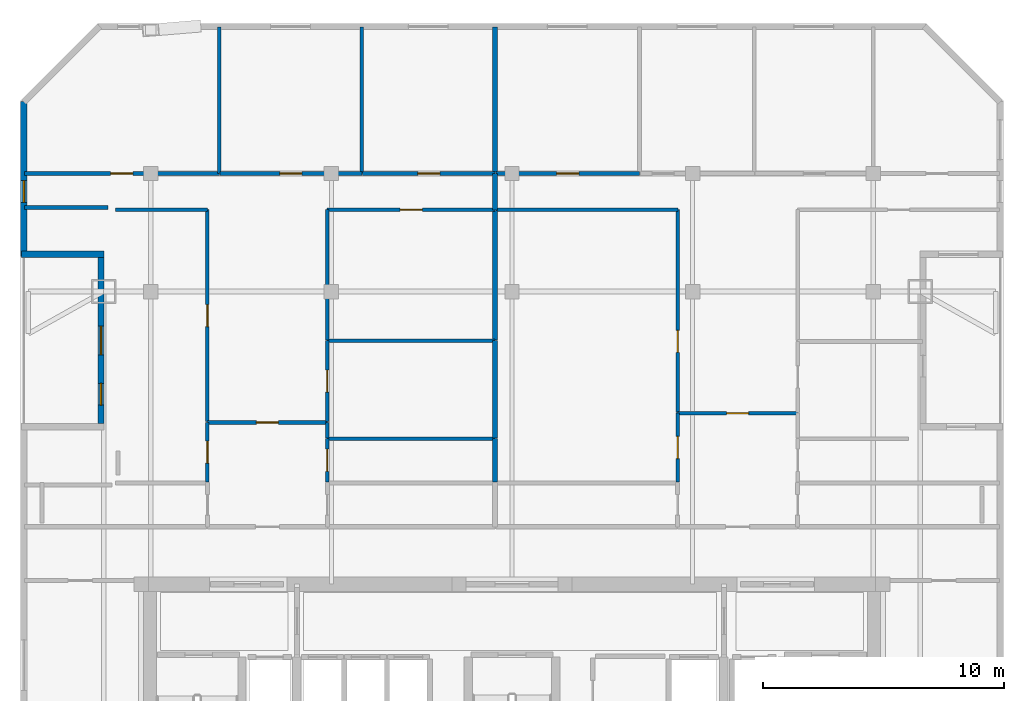
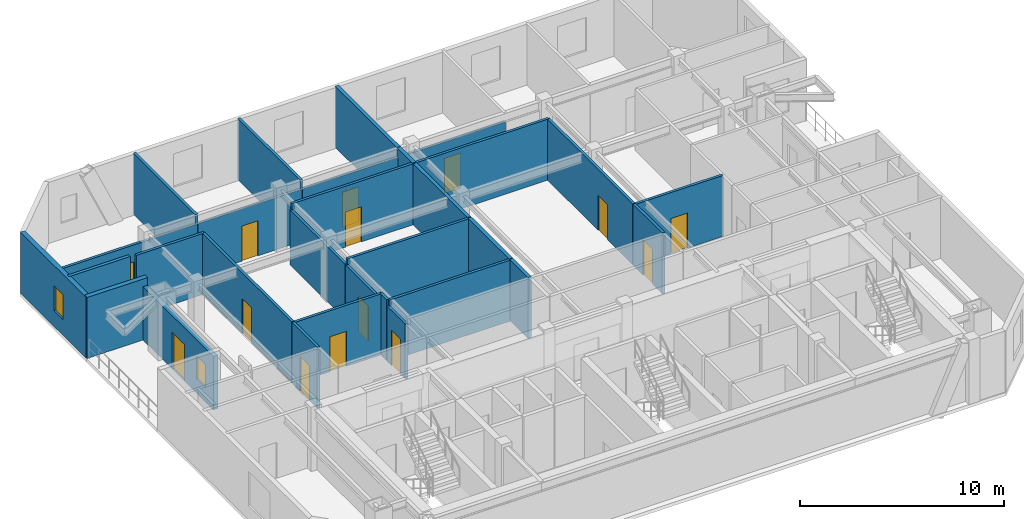
# One storey, part 4 of 7: 30 walls, 14 doors, 2 windows, 16 openings.
"""IFC4 building model written with IfcOpenShell, lengths in metres."""

import ifcopenshell
import ifcopenshell.guid

model = None  # the IFC model being written
_history = None  # IfcOwnerHistory: only IFC2X3 demands one
_inside = {}  # id of a spatial element -> (the spatial element, [elements in it])
_under = {}  # id of a project, library or spatial element -> (it, [spatial elements below it])
_declared = {}  # id of a project -> (the project, [libraries it declares])
_typed = {}  # id of a type object -> (the type object, [elements of that type])
_made_of = {}  # id of a material, layer set ... -> (it, [elements and type objects made of it])


def new_model(schema):
    """Start an empty IFC model of exactly this schema.

    Asked for "IFC4X3", IfcOpenShell would pick the latest addendum, in which some entities
    have other attributes; the version numbers below select the first issue.
    IFC2X3 requires an IfcOwnerHistory on every rooted entity: one is made here for all.
    """
    global model, _history
    if schema == "IFC4X3":
        model = ifcopenshell.file(schema_version=(4, 3, 0, 0))
    else:
        model = ifcopenshell.file(schema=schema)
    _inside.clear()
    _under.clear()
    _declared.clear()
    _typed.clear()
    _made_of.clear()
    _history = None
    if model.schema == "IFC2X3":
        org = make("IfcOrganization", Name="unknown")
        user = make(
            "IfcPersonAndOrganization",
            ThePerson=make("IfcPerson", FamilyName="unknown"),
            TheOrganization=org,
        )
        app = make(
            "IfcApplication",
            ApplicationDeveloper=org,
            Version="unknown",
            ApplicationFullName="unknown",
            ApplicationIdentifier="unknown",
        )
        _history = make(
            "IfcOwnerHistory",
            OwningUser=user,
            OwningApplication=app,
            ChangeAction="ADDED",
            CreationDate=0,
        )
    return model


def make(cls, **values):
    """One entity of the class cls with the attributes given. An attribute that is None is left unset."""
    return model.create_entity(
        cls, **{name: value for name, value in values.items() if value is not None}
    )


def rooted(cls, **values):
    """An entity with a GlobalId (a new one), such as an element, a storey or a relation."""
    return make(cls, GlobalId=ifcopenshell.guid.new(), OwnerHistory=_history, **values)


def si_unit(unit_type, name, prefix=None):
    """IfcSIUnit, for example si_unit("LENGTHUNIT", "METRE", prefix="MILLI")."""
    return make("IfcSIUnit", UnitType=unit_type, Prefix=prefix, Name=name)


def assignment(units):
    """IfcUnitAssignment: the units of a project."""
    return None if units is None else make("IfcUnitAssignment", Units=units)


def point(xyz):
    """IfcCartesianPoint."""
    return None if xyz is None else make("IfcCartesianPoint", Coordinates=xyz)


def direction(xyz):
    """IfcDirection."""
    return None if xyz is None else make("IfcDirection", DirectionRatios=xyz)


def frame(location, z_axis=None, x_axis=None):
    """IfcAxis2Placement3D, a coordinate frame: its origin and axes. An axis left out is left unset."""
    return make(
        "IfcAxis2Placement3D",
        Location=point(location),
        Axis=direction(z_axis),
        RefDirection=direction(x_axis),
    )


def frame_2d(location, x_axis=None):
    """IfcAxis2Placement2D, a coordinate frame in the plane: its origin and x axis."""
    return make(
        "IfcAxis2Placement2D", Location=point(location), RefDirection=direction(x_axis)
    )


def origin():
    """The frame at (0, 0, 0) with its axes left unset."""
    return frame((0.0, 0.0, 0.0))


def place(relative_to, where):
    """IfcLocalPlacement: puts the frame where relative to a parent placement (None: the world)."""
    return make(
        "IfcLocalPlacement", PlacementRelTo=relative_to, RelativePlacement=where
    )


def context(
    kind, dimensions, precision=None, world=None, true_north=None, identifier=None
):
    """IfcGeometricRepresentationContext, for example the 3D "Model" context."""
    return make(
        "IfcGeometricRepresentationContext",
        ContextIdentifier=identifier,
        ContextType=kind,
        CoordinateSpaceDimension=dimensions,
        Precision=precision,
        WorldCoordinateSystem=world,
        TrueNorth=true_north,
    )


def subcontext(parent, identifier, kind, view, scale=None):
    """IfcGeometricRepresentationSubContext, for example "Body" below "Model"."""
    return make(
        "IfcGeometricRepresentationSubContext",
        ContextIdentifier=identifier,
        ContextType=kind,
        ParentContext=parent,
        TargetScale=scale,
        TargetView=view,
    )


def project(units=None, contexts=None):
    """IfcProject with its units and contexts."""
    return rooted(
        "IfcProject",
        Name="project",
        RepresentationContexts=contexts,
        UnitsInContext=assignment(units),
    )


def spatial(cls, under=None, at=None, **own):
    """A site, building, storey or space (cls), placed at a placement, below another one or the project."""
    s = rooted(cls, ObjectPlacement=at, **own)
    if under is not None:
        _under.setdefault(under.id(), (under, []))[1].append(s)
    return s


def profile(cls, at=None, kind="AREA", **sizes):
    """A parametric profile (cls). Its sizes go by their IFC names, for example OverallWidth=200.0."""
    return make(cls, ProfileType=kind, Position=at, **sizes)


def rectangle(**sizes):
    """IfcRectangleProfileDef."""
    return profile("IfcRectangleProfileDef", **sizes)


def extrude(swept, where, along, depth):
    """IfcExtrudedAreaSolid: the profile swept, set in the frame where, extruded along a direction by depth."""
    return make(
        "IfcExtrudedAreaSolid",
        SweptArea=swept,
        Position=where,
        ExtrudedDirection=direction(along),
        Depth=depth,
    )


def shape(context_of_items, identifier, shape_type, items):
    """IfcShapeRepresentation: the items that make up one representation, for example the "Body"."""
    return make(
        "IfcShapeRepresentation",
        ContextOfItems=context_of_items,
        RepresentationIdentifier=identifier,
        RepresentationType=shape_type,
        Items=items,
    )


def material(Name=None, Category=None):
    """IfcMaterial."""
    return make("IfcMaterial", Name=Name, Category=Category)


def layer(
    of_material, thickness, ventilated=None, Name=None, Category=None, Priority=None
):
    """IfcMaterialLayer: one layer of a wall or slab, of a material (None: an air gap)."""
    return make(
        "IfcMaterialLayer",
        Material=of_material,
        LayerThickness=thickness,
        IsVentilated=ventilated,
        Name=Name,
        Category=Category,
        Priority=Priority,
    )


def layer_set(layers, Name=None):
    """IfcMaterialLayerSet."""
    return make("IfcMaterialLayerSet", MaterialLayers=layers, LayerSetName=Name)


def made_of(thing, what):
    """Note that an element or type object is made of a material, layer set ...; save() writes the relation."""
    if what is not None:
        _made_of.setdefault(what.id(), (what, []))[1].append(thing)
    return thing


def type_object(cls, material=None, **own):
    """A type object (cls), such as IfcWallType, which elements share."""
    return made_of(rooted(cls, **own), material)


def element(
    cls,
    number,
    at=None,
    inside=None,
    cuts=None,
    type_object=None,
    material=None,
    context=None,
    identifier="Body",
    shape_type=None,
    held_by="IfcProductDefinitionShape",
    body=None,
    shapes=None,
    **own,
):
    """One element of the class cls, such as IfcWall. Its Tag is "e" and its number.

    at: its placement. inside: the storey or other place that contains it. cuts: it is an
    opening in that element (IfcRelVoidsElement). A single representation is given by context,
    identifier, shape_type and body (its items); several are given by shapes. held_by: the class
    of the entity that holds the representations. save() writes the other relations.
    """
    e = rooted(cls, Tag="e%d" % number, ObjectPlacement=at, **own)
    if body is not None:
        shapes = [shape(context, identifier, shape_type, body)]
    if shapes is not None:
        e.Representation = make(held_by, Representations=shapes)
    if inside is not None:
        _inside.setdefault(inside.id(), (inside, []))[1].append(e)
    if cuts is not None:
        rooted(
            "IfcRelVoidsElement", RelatingBuildingElement=cuts, RelatedOpeningElement=e
        )
    if type_object is not None:
        _typed.setdefault(type_object.id(), (type_object, []))[1].append(e)
    return made_of(e, material)


def fill(opening, filler):
    """IfcRelFillsElement: the door or window that sits in an opening."""
    return rooted(
        "IfcRelFillsElement",
        RelatingOpeningElement=opening,
        RelatedBuildingElement=filler,
    )


def aggregate(whole, parts):
    """IfcRelAggregates: a whole, such as a stair, and the parts it consists of."""
    return rooted("IfcRelAggregates", RelatingObject=whole, RelatedObjects=parts)


def save(model, path):
    """Write the relations noted so far, then the file.

    IfcRelAggregates (storeys below a building ...), IfcRelContainedInSpatialStructure (elements
    in a storey), IfcRelDefinesByType, IfcRelAssociatesMaterial and IfcRelDeclares: one each for
    every whole, place, type object, material and project.
    """
    for whole, parts in _under.values():
        aggregate(whole, parts)
    for where, things in _inside.values():
        rooted(
            "IfcRelContainedInSpatialStructure",
            RelatedElements=things,
            RelatingStructure=where,
        )
    for kind, things in _typed.values():
        rooted("IfcRelDefinesByType", RelatedObjects=things, RelatingType=kind)
    for what, things in _made_of.values():
        rooted("IfcRelAssociatesMaterial", RelatedObjects=things, RelatingMaterial=what)
    for by, libraries in _declared.values():
        rooted("IfcRelDeclares", RelatingContext=by, RelatedDefinitions=libraries)
    model.write(path)


model = new_model("IFC4")

# Units and contexts
model_context = context("Model", 3, precision=1e-05, world=origin(), true_north=direction((0.0, 1.0)))
body_context = subcontext(model_context, "Body", "Model", "MODEL_VIEW")
ifc_project = project(units=[si_unit("LENGTHUNIT", "METRE"), si_unit("AREAUNIT", "SQUARE_METRE"), si_unit("VOLUMEUNIT", "CUBIC_METRE"), si_unit("PLANEANGLEUNIT", "RADIAN"), si_unit("MASSUNIT", "GRAM", prefix="KILO")], contexts=[model_context])

# Site, building, storey
site_placement = place(None, origin())
site = spatial("IfcSite", under=ifc_project, at=site_placement, CompositionType="ELEMENT")
building_placement = place(site_placement, origin())
building = spatial("IfcBuilding", under=site, at=building_placement, Name="Ventersveld Concourse Tower", CompositionType="ELEMENT")
storey_placement = place(building_placement, frame((0.0, 0.0, 281.050048828125)))
storey = spatial("IfcBuildingStorey", under=building, at=storey_placement, Name="L69", CompositionType="ELEMENT", Elevation=281.050048828125)

# Walls
ifc_material_1 = material(Name="Fire-rated autoclaved aerated masonry blockwork", Category="masonry")
ifc_layer_1 = layer(ifc_material_1, 0.179931640625)
ifc_layer_set_1 = layer_set([ifc_layer_1], Name="Fire-rated autoclaved aerated masonry blockwork")
wall_type_1 = type_object("IfcWallType", Name="WL-CORR-180", PredefinedType="PARTITIONING", material=ifc_layer_set_1)
wall_1_placement = place(storey_placement, frame((11.983154296875, 27.090087890625, 0.0), z_axis=(0.0, 0.0, 1.0), x_axis=(-1.0, 0.0, 0.0)))
element("IfcWall", 1, at=wall_1_placement, inside=storey, type_object=wall_type_1, Name="L69 Room Enclosure Wall SP-L69-69N1-LIV", PredefinedType="PARTITIONING", context=body_context, shape_type="SweptSolid", body=[
    extrude(rectangle(XDim=3.48046875, YDim=0.179931640625, at=frame_2d((1.740234375, 0.0))), origin(), (0.0, 0.0, 1.0), 3.64990234375),
])
ifc_layer_2 = layer(ifc_material_1, 0.199951171875)
ifc_layer_set_2 = layer_set([ifc_layer_2], Name="Fire-rated autoclaved aerated masonry blockwork")
wall_type_2 = type_object("IfcWallType", Name="WL-DEMISE-200", PredefinedType="PARTITIONING", material=ifc_layer_set_2)
wall_2_placement = place(storey_placement, frame((28.04541015625, 26.9951171875, 0.0), z_axis=(0.0, 0.0, 1.0), x_axis=(0.0, 1.0, 0.0)))
element("IfcWall", 2, at=wall_2_placement, inside=storey, type_object=wall_type_2, Name="L69 Interior Partition SP-L69-69N1-LIV-SP-L69-69N2-LIV", PredefinedType="PARTITIONING", context=body_context, shape_type="SweptSolid", body=[
    extrude(rectangle(XDim=1.509765625, YDim=0.199951171875, at=frame_2d((0.7548828125, 0.0))), origin(), (0.0, 0.0, 1.0), 3.64990234375),
])
wall_3_placement = place(storey_placement, frame((28.04541015625, 15.695068359375, 0.0), z_axis=(0.0, 0.0, 1.0), x_axis=(0.0, 1.0, 0.0)))
element("IfcWall", 3, at=wall_3_placement, inside=storey, type_object=wall_type_2, Name="L69 Interior Partition SP-L69-69N1-KIT-SP-L69-69N2-SEML0", PredefinedType="PARTITIONING", context=body_context, shape_type="SweptSolid", body=[
    extrude(rectangle(XDim=1.800048828125, YDim=0.199951171875, at=frame_2d((0.89990234375, 0.0))), origin(), (0.0, 0.0, 1.0), 3.64990234375),
])
wall_4_placement = place(storey_placement, frame((28.04541015625, 17.52490234375, 0.0), z_axis=(0.0, 0.0, 1.0), x_axis=(0.0, 1.0, 0.0)))
element("IfcWall", 4, at=wall_4_placement, inside=storey, type_object=wall_type_2, Name="L69 Interior Partition SP-L69-69N1-DENR-SP-L69-69N2-SEML0", PredefinedType="PARTITIONING", context=body_context, shape_type="SweptSolid", body=[
    extrude(rectangle(XDim=4.041015625, YDim=0.199951171875, at=frame_2d((2.0205078125, 0.0))), origin(), (0.0, 0.0, 1.0), 3.64990234375),
])
wall_5_placement = place(storey_placement, frame((28.04541015625, 21.595703125, 0.0), z_axis=(0.0, 0.0, 1.0), x_axis=(0.0, 1.0, 0.0)))
element("IfcWall", 5, at=wall_5_placement, inside=storey, type_object=wall_type_2, Name="L69 Interior Partition SP-L69-69N1-DENS2-SP-L69-69N2-SEML0", PredefinedType="PARTITIONING", context=body_context, shape_type="SweptSolid", body=[
    extrude(rectangle(XDim=5.369384765625, YDim=0.199951171875, at=frame_2d((2.6845703125, 0.0))), origin(), (0.0, 0.0, 1.0), 3.64990234375),
])
wall_6_placement = place(storey_placement, frame((28.04541015625, 28.534912109375, 0.0), z_axis=(0.0, 0.0, 1.0), x_axis=(0.0, 1.0, 0.0)))
element("IfcWall", 6, at=wall_6_placement, inside=storey, type_object=wall_type_2, Name="L69 Interior Partition SP-L69-69N1-BR3-SP-L69-69N2-BR1", PredefinedType="PARTITIONING", context=body_context, shape_type="SweptSolid", body=[
    extrude(rectangle(XDim=6.048095703125, YDim=0.199951171875, at=frame_2d((3.02392578125, 0.0))), origin(), (0.0, 0.0, 1.0), 3.64990234375),
])

# Wall, opening, door
ifc_material_2 = material(Name="Autoclaved aerated masonry blockwork", Category="masonry")
ifc_layer_3 = layer(ifc_material_2, 0.14990234375)
ifc_layer_set_3 = layer_set([ifc_layer_3], Name="Autoclaved aerated masonry blockwork")
wall_type_3 = type_object("IfcWallType", Name="WL-INT-150", PredefinedType="PARTITIONING", material=ifc_layer_set_3)
wall_7_placement = place(storey_placement, frame((16.099365234375, 18.162109375, 0.0), z_axis=(0.0, 0.0, 1.0), x_axis=(1.0, 0.0, 0.0)))
wall_7 = element("IfcWall", 7, at=wall_7_placement, inside=storey, type_object=wall_type_3, Name="L69 Interior Partition SP-L69-69N1-FOY-SP-L69-69N1-LIV", PredefinedType="PARTITIONING", context=body_context, shape_type="SweptSolid", body=[
    extrude(rectangle(XDim=4.989990234375, YDim=0.14990234375, at=frame_2d((2.4951171875, 0.0))), origin(), (0.0, 0.0, 1.0), 3.64990234375),
])
opening_1_placement = place(wall_7_placement, frame((2.034912109375, 0.0, 0.0)))
opening_1 = element("IfcOpeningElement", 8, at=opening_1_placement, cuts=wall_7, Name="Opening ID1", PredefinedType="OPENING", context=body_context, shape_type="SweptSolid", body=[
    extrude(rectangle(XDim=0.919921875, YDim=2.10009765625, at=frame_2d((0.4599609375, 1.050048828125))), frame((0.0, 0.0849609375, 0.0), z_axis=(0.0, -1.0, 0.0), x_axis=(1.0, 0.0, 0.0)), (0.0, 0.0, 1.0), 0.169921875),
])
ifc_material_3 = material(Name="Solid-core hardwood veneer timber", Category="wood")
door_type_1 = type_object("IfcDoorType", Name="DR-ROOM-092", OperationType="NOTDEFINED", PredefinedType="DOOR", material=ifc_material_3)
door_1_placement = place(opening_1_placement, origin())
door_1 = element("IfcDoor", 9, at=door_1_placement, inside=storey, type_object=door_type_1, Name="L69 Interior Door SP-L69-69N1-FOY to SP-L69-69N1-LIV (D-L69-3228)", OperationType="SINGLE_SWING_RIGHT", OverallHeight=2.10009765625, OverallWidth=0.919921875, PredefinedType="DOOR", context=body_context, shape_type="SweptSolid", body=[
    extrude(rectangle(XDim=0.919921875, YDim=2.10009765625, at=frame_2d((0.4599609375, 1.050048828125))), frame((0.0, 0.02490234375, 0.0), z_axis=(0.0, -1.0, 0.0), x_axis=(1.0, 0.0, 0.0)), (0.0, 0.0, 1.0), 0.050048828125),
])
fill(opening_1, door_1)

wall_8_placement = place(storey_placement, frame((16.104248046875, 15.695068359375, 0.0), z_axis=(0.0, 0.0, 1.0), x_axis=(0.0, 1.0, 0.0)))
wall_8 = element("IfcWall", 10, at=wall_8_placement, inside=storey, type_object=wall_type_3, Name="L69 Interior Partition SP-L69-69N1-FOY-SP-L69-69N1-SEML0", PredefinedType="PARTITIONING", context=body_context, shape_type="SweptSolid", body=[
    extrude(rectangle(XDim=2.471923828125, YDim=0.14990234375, at=frame_2d((1.23583984375, 0.0))), origin(), (0.0, 0.0, 1.0), 3.64990234375),
])
opening_2_placement = place(wall_8_placement, frame((0.77587890625, 0.0, 0.0)))
opening_2 = element("IfcOpeningElement", 11, at=opening_2_placement, cuts=wall_8, Name="Opening ID1", PredefinedType="OPENING", context=body_context, shape_type="SweptSolid", body=[
    extrude(rectangle(XDim=0.919921875, YDim=2.10009765625, at=frame_2d((0.4599609375, 1.050048828125))), frame((0.0, 0.0849609375, 0.0), z_axis=(0.0, -1.0, 0.0), x_axis=(1.0, 0.0, 0.0)), (0.0, 0.0, 1.0), 0.169921875),
])
door_2_placement = place(opening_2_placement, origin())
door_2 = element("IfcDoor", 12, at=door_2_placement, inside=storey, type_object=door_type_1, Name="L69 Interior Door SP-L69-69N1-FOY to SP-L69-69N1-SEML0 (D-L69-3230)", OperationType="SINGLE_SWING_RIGHT", OverallHeight=2.10009765625, OverallWidth=0.919921875, PredefinedType="DOOR", context=body_context, shape_type="SweptSolid", body=[
    extrude(rectangle(XDim=0.919921875, YDim=2.10009765625, at=frame_2d((0.4599609375, 1.050048828125))), frame((0.0, 0.02490234375, 0.0), z_axis=(0.0, -1.0, 0.0), x_axis=(1.0, 0.0, 0.0)), (0.0, 0.0, 1.0), 0.050048828125),
])
fill(opening_2, door_2)

wall_9_placement = place(storey_placement, frame((21.084228515625, 15.695068359375, 0.0), z_axis=(0.0, 0.0, 1.0), x_axis=(0.0, 1.0, 0.0)))
wall_9 = element("IfcWall", 13, at=wall_9_placement, inside=storey, type_object=wall_type_3, Name="L69 Interior Partition SP-L69-69N1-FOY-SP-L69-69N1-KIT", PredefinedType="PARTITIONING", context=body_context, shape_type="SweptSolid", body=[
    extrude(rectangle(XDim=1.800048828125, YDim=0.14990234375, at=frame_2d((0.89990234375, 0.0))), origin(), (0.0, 0.0, 1.0), 3.294921875),
])
opening_3_placement = place(wall_9_placement, frame((0.43994140625, 0.0, 0.0)))
opening_3 = element("IfcOpeningElement", 14, at=opening_3_placement, cuts=wall_9, Name="Opening ID1", PredefinedType="OPENING", context=body_context, shape_type="SweptSolid", body=[
    extrude(rectangle(XDim=0.919921875, YDim=2.10009765625, at=frame_2d((0.4599609375, 1.050048828125))), frame((0.0, 0.0849609375, 0.0), z_axis=(0.0, -1.0, 0.0), x_axis=(1.0, 0.0, 0.0)), (0.0, 0.0, 1.0), 0.169921875),
])
door_3_placement = place(opening_3_placement, origin())
door_3 = element("IfcDoor", 15, at=door_3_placement, inside=storey, type_object=door_type_1, Name="L69 Interior Door SP-L69-69N1-FOY to SP-L69-69N1-KIT (D-L69-3232)", OperationType="SINGLE_SWING_RIGHT", OverallHeight=2.10009765625, OverallWidth=0.919921875, PredefinedType="DOOR", context=body_context, shape_type="SweptSolid", body=[
    extrude(rectangle(XDim=0.919921875, YDim=2.10009765625, at=frame_2d((0.4599609375, 1.050048828125))), frame((0.0, 0.02490234375, 0.0), z_axis=(0.0, -1.0, 0.0), x_axis=(1.0, 0.0, 0.0)), (0.0, 0.0, 1.0), 0.050048828125),
])
fill(opening_3, door_3)

# Wall
wall_10_placement = place(storey_placement, frame((21.084228515625, 17.52490234375, 0.0), z_axis=(0.0, 0.0, 1.0), x_axis=(0.0, 1.0, 0.0)))
element("IfcWall", 16, at=wall_10_placement, inside=storey, type_object=wall_type_3, Name="L69 Interior Partition SP-L69-69N1-FOY-SP-L69-69N1-DENR", PredefinedType="PARTITIONING", context=body_context, shape_type="SweptSolid", body=[
    extrude(rectangle(XDim=0.64208984375, YDim=0.14990234375, at=frame_2d((0.321044921875, 0.0))), origin(), (0.0, 0.0, 1.0), 3.64990234375),
])

# Wall, opening, door
wall_11_placement = place(storey_placement, frame((16.104248046875, 18.197021484375, 0.0), z_axis=(0.0, 0.0, 1.0), x_axis=(0.0, 1.0, 0.0)))
wall_11 = element("IfcWall", 17, at=wall_11_placement, inside=storey, type_object=wall_type_3, Name="L69 Interior Partition SP-L69-69N1-LIV-SP-L69-69N1-SEML0", PredefinedType="PARTITIONING", context=body_context, shape_type="SweptSolid", body=[
    extrude(rectangle(XDim=8.807861328125, YDim=0.14990234375, at=frame_2d((4.40380859375, 0.0))), origin(), (0.0, 0.0, 1.0), 3.64990234375),
])
opening_4_placement = place(wall_11_placement, frame((3.944091796875, 0.0, 0.0)))
opening_4 = element("IfcOpeningElement", 18, at=opening_4_placement, cuts=wall_11, Name="Opening ID1", PredefinedType="OPENING", context=body_context, shape_type="SweptSolid", body=[
    extrude(rectangle(XDim=0.919921875, YDim=2.10009765625, at=frame_2d((0.4599609375, 1.050048828125))), frame((0.0, 0.0849609375, 0.0), z_axis=(0.0, -1.0, 0.0), x_axis=(1.0, 0.0, 0.0)), (0.0, 0.0, 1.0), 0.169921875),
])
door_4_placement = place(opening_4_placement, origin())
door_4 = element("IfcDoor", 19, at=door_4_placement, inside=storey, type_object=door_type_1, Name="L69 Interior Door SP-L69-69N1-LIV to SP-L69-69N1-SEML0 (D-L69-3233)", OperationType="SINGLE_SWING_LEFT", OverallHeight=2.10009765625, OverallWidth=0.919921875, PredefinedType="DOOR", context=body_context, shape_type="SweptSolid", body=[
    extrude(rectangle(XDim=0.919921875, YDim=2.10009765625, at=frame_2d((0.4599609375, 1.050048828125))), frame((0.0, 0.02490234375, 0.0), z_axis=(0.0, -1.0, 0.0), x_axis=(1.0, 0.0, 0.0)), (0.0, 0.0, 1.0), 0.050048828125),
])
fill(opening_4, door_4)

# Wall
wall_12_placement = place(storey_placement, frame((12.298095703125, 27.0, 0.0), z_axis=(0.0, 0.0, 1.0), x_axis=(1.0, 0.0, 0.0)))
element("IfcWall", 20, at=wall_12_placement, inside=storey, type_object=wall_type_3, Name="L69 Interior Partition SP-L69-69N1-LIV-SP-L69-69N1-SEML0", PredefinedType="PARTITIONING", context=body_context, shape_type="SweptSolid", body=[
    extrude(rectangle(XDim=3.811279296875, YDim=0.14990234375, at=frame_2d((1.90576171875, 0.0))), origin(), (0.0, 0.0, 1.0), 3.64990234375),
])

# Wall, opening, door
wall_13_placement = place(storey_placement, frame((21.084228515625, 18.197021484375, 0.0), z_axis=(0.0, 0.0, 1.0), x_axis=(0.0, 1.0, 0.0)))
wall_13 = element("IfcWall", 21, at=wall_13_placement, inside=storey, type_object=wall_type_3, Name="L69 Interior Partition SP-L69-69N1-LIV-SP-L69-69N1-DENR", PredefinedType="PARTITIONING", context=body_context, shape_type="SweptSolid", body=[
    extrude(rectangle(XDim=3.368896484375, YDim=0.14990234375, at=frame_2d((1.6845703125, 0.0))), origin(), (0.0, 0.0, 1.0), 3.294921875),
])
opening_5_placement = place(wall_13_placement, frame((1.224365234375, 0.0, 0.0)))
opening_5 = element("IfcOpeningElement", 22, at=opening_5_placement, cuts=wall_13, Name="Opening ID1", PredefinedType="OPENING", context=body_context, shape_type="SweptSolid", body=[
    extrude(rectangle(XDim=0.919921875, YDim=2.10009765625, at=frame_2d((0.4599609375, 1.050048828125))), frame((0.0, 0.0849609375, 0.0), z_axis=(0.0, -1.0, 0.0), x_axis=(1.0, 0.0, 0.0)), (0.0, 0.0, 1.0), 0.169921875),
])
door_5_placement = place(opening_5_placement, origin())
door_5 = element("IfcDoor", 23, at=door_5_placement, inside=storey, type_object=door_type_1, Name="L69 Interior Door SP-L69-69N1-LIV to SP-L69-69N1-DENR (D-L69-3234)", OperationType="SINGLE_SWING_RIGHT", OverallHeight=2.10009765625, OverallWidth=0.919921875, PredefinedType="DOOR", context=body_context, shape_type="SweptSolid", body=[
    extrude(rectangle(XDim=0.919921875, YDim=2.10009765625, at=frame_2d((0.4599609375, 1.050048828125))), frame((0.0, 0.02490234375, 0.0), z_axis=(0.0, -1.0, 0.0), x_axis=(1.0, 0.0, 0.0)), (0.0, 0.0, 1.0), 0.050048828125),
])
fill(opening_5, door_5)

wall_14_placement = place(storey_placement, frame((21.079345703125, 27.0, 0.0), z_axis=(0.0, 0.0, 1.0), x_axis=(1.0, 0.0, 0.0)))
wall_14 = element("IfcWall", 24, at=wall_14_placement, inside=storey, type_object=wall_type_3, Name="L69 Interior Partition SP-L69-69N1-LIV-SP-L69-69N1-DENS2", PredefinedType="PARTITIONING", context=body_context, shape_type="SweptSolid", body=[
    extrude(rectangle(XDim=6.970947265625, YDim=0.14990234375, at=frame_2d((3.4853515625, 0.0))), origin(), (0.0, 0.0, 1.0), 3.64990234375),
])
opening_6_placement = place(wall_14_placement, frame((3.025390625, 0.0, 0.0)))
opening_6 = element("IfcOpeningElement", 25, at=opening_6_placement, cuts=wall_14, Name="Opening ID1", PredefinedType="OPENING", context=body_context, shape_type="SweptSolid", body=[
    extrude(rectangle(XDim=0.919921875, YDim=2.10009765625, at=frame_2d((0.4599609375, 1.050048828125))), frame((0.0, 0.0849609375, 0.0), z_axis=(0.0, -1.0, 0.0), x_axis=(1.0, 0.0, 0.0)), (0.0, 0.0, 1.0), 0.169921875),
])
door_6_placement = place(opening_6_placement, origin())
door_6 = element("IfcDoor", 26, at=door_6_placement, inside=storey, type_object=door_type_1, Name="L69 Interior Door SP-L69-69N1-LIV to SP-L69-69N1-DENS2 (D-L69-3235)", OperationType="SINGLE_SWING_LEFT", OverallHeight=2.10009765625, OverallWidth=0.919921875, PredefinedType="DOOR", context=body_context, shape_type="SweptSolid", body=[
    extrude(rectangle(XDim=0.919921875, YDim=2.10009765625, at=frame_2d((0.4599609375, 1.050048828125))), frame((0.0, 0.02490234375, 0.0), z_axis=(0.0, -1.0, 0.0), x_axis=(1.0, 0.0, 0.0)), (0.0, 0.0, 1.0), 0.050048828125),
])
fill(opening_6, door_6)

# Wall
wall_15_placement = place(storey_placement, frame((21.084228515625, 21.595703125, 0.0), z_axis=(0.0, 0.0, 1.0), x_axis=(0.0, 1.0, 0.0)))
element("IfcWall", 27, at=wall_15_placement, inside=storey, type_object=wall_type_3, Name="L69 Interior Partition SP-L69-69N1-LIV-SP-L69-69N1-DENS2", PredefinedType="PARTITIONING", context=body_context, shape_type="SweptSolid", body=[
    extrude(rectangle(XDim=5.4091796875, YDim=0.14990234375, at=frame_2d((2.70458984375, 0.0))), origin(), (0.0, 0.0, 1.0), 3.294921875),
])

# Wall, opening, door
wall_16_placement = place(storey_placement, frame((8.502685546875, 28.5, 0.0), z_axis=(0.0, 0.0, 1.0), x_axis=(1.0, 0.0, 0.0)))
wall_16 = element("IfcWall", 28, at=wall_16_placement, inside=storey, type_object=wall_type_3, Name="L69 Interior Partition SP-L69-69N1-LIV-SP-L69-69N1-BR1", PredefinedType="PARTITIONING", context=body_context, shape_type="SweptSolid", body=[
    extrude(rectangle(XDim=8.09375, YDim=0.14990234375, at=frame_2d((4.046875, 0.0))), origin(), (0.0, 0.0, 1.0), 3.116943359375),
])
opening_7_placement = place(wall_16_placement, frame((3.5869140625, 0.0, 0.0)))
opening_7 = element("IfcOpeningElement", 29, at=opening_7_placement, cuts=wall_16, Name="Opening ID1", PredefinedType="OPENING", context=body_context, shape_type="SweptSolid", body=[
    extrude(rectangle(XDim=0.919921875, YDim=2.10009765625, at=frame_2d((0.4599609375, 1.050048828125))), frame((0.0, 0.0849609375, 0.0), z_axis=(0.0, -1.0, 0.0), x_axis=(1.0, 0.0, 0.0)), (0.0, 0.0, 1.0), 0.169921875),
])
door_7_placement = place(opening_7_placement, origin())
door_7 = element("IfcDoor", 30, at=door_7_placement, inside=storey, type_object=door_type_1, Name="L69 Interior Door SP-L69-69N1-LIV to SP-L69-69N1-BR1 (D-L69-3236)", OperationType="SINGLE_SWING_RIGHT", OverallHeight=2.10009765625, OverallWidth=0.919921875, PredefinedType="DOOR", context=body_context, shape_type="SweptSolid", body=[
    extrude(rectangle(XDim=0.919921875, YDim=2.10009765625, at=frame_2d((0.4599609375, 1.050048828125))), frame((0.0, 0.02490234375, 0.0), z_axis=(0.0, -1.0, 0.0), x_axis=(1.0, 0.0, 0.0)), (0.0, 0.0, 1.0), 0.050048828125),
])
fill(opening_7, door_7)

wall_17_placement = place(storey_placement, frame((16.62646484375, 28.5, 0.0), z_axis=(0.0, 0.0, 1.0), x_axis=(1.0, 0.0, 0.0)))
wall_17 = element("IfcWall", 31, at=wall_17_placement, inside=storey, type_object=wall_type_3, Name="L69 Interior Partition SP-L69-69N1-LIV-SP-L69-69N1-BR2", PredefinedType="PARTITIONING", context=body_context, shape_type="SweptSolid", body=[
    extrude(rectangle(XDim=5.88818359375, YDim=0.14990234375, at=frame_2d((2.944091796875, 0.0))), origin(), (0.0, 0.0, 1.0), 3.116943359375),
])
opening_8_placement = place(wall_17_placement, frame((2.484130859375, 0.0, 0.0)))
opening_8 = element("IfcOpeningElement", 32, at=opening_8_placement, cuts=wall_17, Name="Opening ID1", PredefinedType="OPENING", context=body_context, shape_type="SweptSolid", body=[
    extrude(rectangle(XDim=0.919921875, YDim=2.10009765625, at=frame_2d((0.4599609375, 1.050048828125))), frame((0.0, 0.0849609375, 0.0), z_axis=(0.0, -1.0, 0.0), x_axis=(1.0, 0.0, 0.0)), (0.0, 0.0, 1.0), 0.169921875),
])
door_8_placement = place(opening_8_placement, origin())
door_8 = element("IfcDoor", 33, at=door_8_placement, inside=storey, type_object=door_type_1, Name="L69 Interior Door SP-L69-69N1-LIV to SP-L69-69N1-BR2 (D-L69-3237)", OperationType="SINGLE_SWING_LEFT", OverallHeight=2.10009765625, OverallWidth=0.919921875, PredefinedType="DOOR", context=body_context, shape_type="SweptSolid", body=[
    extrude(rectangle(XDim=0.919921875, YDim=2.10009765625, at=frame_2d((0.4599609375, 1.050048828125))), frame((0.0, 0.02490234375, 0.0), z_axis=(0.0, -1.0, 0.0), x_axis=(1.0, 0.0, 0.0)), (0.0, 0.0, 1.0), 0.050048828125),
])
fill(opening_8, door_8)

wall_18_placement = place(storey_placement, frame((22.544677734375, 28.5, 0.0), z_axis=(0.0, 0.0, 1.0), x_axis=(1.0, 0.0, 0.0)))
wall_18 = element("IfcWall", 34, at=wall_18_placement, inside=storey, type_object=wall_type_3, Name="L69 Interior Partition SP-L69-69N1-LIV-SP-L69-69N1-BR3", PredefinedType="PARTITIONING", context=body_context, shape_type="SweptSolid", body=[
    extrude(rectangle(XDim=5.505615234375, YDim=0.14990234375, at=frame_2d((2.7529296875, 0.0))), origin(), (0.0, 0.0, 1.0), 3.116943359375),
])
opening_9_placement = place(wall_18_placement, frame((2.292724609375, 0.0, 0.0)))
opening_9 = element("IfcOpeningElement", 35, at=opening_9_placement, cuts=wall_18, Name="Opening ID1", PredefinedType="OPENING", context=body_context, shape_type="SweptSolid", body=[
    extrude(rectangle(XDim=0.919921875, YDim=2.10009765625, at=frame_2d((0.4599609375, 1.050048828125))), frame((0.0, 0.0849609375, 0.0), z_axis=(0.0, -1.0, 0.0), x_axis=(1.0, 0.0, 0.0)), (0.0, 0.0, 1.0), 0.169921875),
])
door_9_placement = place(opening_9_placement, origin())
door_9 = element("IfcDoor", 36, at=door_9_placement, inside=storey, type_object=door_type_1, Name="L69 Interior Door SP-L69-69N1-LIV to SP-L69-69N1-BR3 (D-L69-3238)", OperationType="SINGLE_SWING_RIGHT", OverallHeight=2.10009765625, OverallWidth=0.919921875, PredefinedType="DOOR", context=body_context, shape_type="SweptSolid", body=[
    extrude(rectangle(XDim=0.919921875, YDim=2.10009765625, at=frame_2d((0.4599609375, 1.050048828125))), frame((0.0, 0.02490234375, 0.0), z_axis=(0.0, -1.0, 0.0), x_axis=(1.0, 0.0, 0.0)), (0.0, 0.0, 1.0), 0.050048828125),
])
fill(opening_9, door_9)

# Walls
for number, where, z_axis, x_axis, name in (
    (37, (21.079345703125, 17.489990234375, 0.0), (0.0, 0.0, 1.0), (1.0, 0.0, 0.0), "L69 Interior Partition SP-L69-69N1-KIT-SP-L69-69N1-DENR"),
    (38, (21.079345703125, 21.560791015625, 0.0), (0.0, 0.0, 1.0), (1.0, 0.0, 0.0), "L69 Interior Partition SP-L69-69N1-DENR-SP-L69-69N1-DENS2"),
):
    element("IfcWall", number, at=place(storey_placement, frame(where, z_axis=z_axis, x_axis=x_axis)), inside=storey, type_object=wall_type_3, Name=name, PredefinedType="PARTITIONING", context=body_context, shape_type="SweptSolid", body=[
        extrude(rectangle(XDim=6.970947265625, YDim=0.14990234375, at=frame_2d((3.4853515625, 0.0))), origin(), (0.0, 0.0, 1.0), 3.64990234375),
    ])
for number, where, z_axis, x_axis, name in (
    (39, (16.591552734375, 28.4951171875, 0.0), (0.0, 0.0, 1.0), (0.0, 1.0, 0.0), "L69 Interior Partition SP-L69-69N1-BR1-SP-L69-69N1-BR2"),
    (40, (22.509765625, 28.4951171875, 0.0), (0.0, 0.0, 1.0), (0.0, 1.0, 0.0), "L69 Interior Partition SP-L69-69N1-BR2-SP-L69-69N1-BR3"),
):
    element("IfcWall", number, at=place(storey_placement, frame(where, z_axis=z_axis, x_axis=x_axis)), inside=storey, type_object=wall_type_3, Name=name, PredefinedType="PARTITIONING", context=body_context, shape_type="SweptSolid", body=[
        extrude(rectangle(XDim=6.087890625, YDim=0.14990234375, at=frame_2d((3.0439453125, 0.0))), origin(), (0.0, 0.0, 1.0), 3.64990234375),
    ])

# Wall, opening, door
wall_19_placement = place(storey_placement, frame((35.622314453125, 18.549560546875, 0.0), z_axis=(0.0, 0.0, 1.0), x_axis=(1.0, 0.0, 0.0)))
wall_19 = element("IfcWall", 41, at=wall_19_placement, inside=storey, type_object=wall_type_3, Name="L69 Interior Partition SP-L69-69N2-FOY-SP-L69-69N2-LIV", PredefinedType="PARTITIONING", context=body_context, shape_type="SweptSolid", body=[
    extrude(rectangle(XDim=4.989990234375, YDim=0.14990234375, at=frame_2d((2.4951171875, 0.0))), origin(), (0.0, 0.0, 1.0), 3.64990234375),
])
opening_10_placement = place(wall_19_placement, frame((2.034912109375, 0.0, 0.0)))
opening_10 = element("IfcOpeningElement", 42, at=opening_10_placement, cuts=wall_19, Name="Opening ID1", PredefinedType="OPENING", context=body_context, shape_type="SweptSolid", body=[
    extrude(rectangle(XDim=0.919921875, YDim=2.10009765625, at=frame_2d((0.4599609375, 1.050048828125))), frame((0.0, 0.0849609375, 0.0), z_axis=(0.0, -1.0, 0.0), x_axis=(1.0, 0.0, 0.0)), (0.0, 0.0, 1.0), 0.169921875),
])
door_10_placement = place(opening_10_placement, origin())
door_10 = element("IfcDoor", 43, at=door_10_placement, inside=storey, type_object=door_type_1, Name="L69 Interior Door SP-L69-69N2-FOY to SP-L69-69N2-LIV (D-L69-3239)", OperationType="SINGLE_SWING_LEFT", OverallHeight=2.10009765625, OverallWidth=0.919921875, PredefinedType="DOOR", context=body_context, shape_type="SweptSolid", body=[
    extrude(rectangle(XDim=0.919921875, YDim=2.10009765625, at=frame_2d((0.4599609375, 1.050048828125))), frame((0.0, 0.02490234375, 0.0), z_axis=(0.0, -1.0, 0.0), x_axis=(1.0, 0.0, 0.0)), (0.0, 0.0, 1.0), 0.050048828125),
])
fill(opening_10, door_10)

wall_20_placement = place(storey_placement, frame((35.62744140625, 15.695068359375, 0.0), z_axis=(0.0, 0.0, 1.0), x_axis=(0.0, 1.0, 0.0)))
wall_20 = element("IfcWall", 44, at=wall_20_placement, inside=storey, type_object=wall_type_3, Name="L69 Interior Partition SP-L69-69N2-FOY-SP-L69-69N2-SEML0", PredefinedType="PARTITIONING", context=body_context, shape_type="SweptSolid", body=[
    extrude(rectangle(XDim=2.859375, YDim=0.14990234375, at=frame_2d((1.4296875, 0.0))), origin(), (0.0, 0.0, 1.0), 3.64990234375),
])
opening_11_placement = place(wall_20_placement, frame((0.9697265625, 0.0, 0.0)))
opening_11 = element("IfcOpeningElement", 45, at=opening_11_placement, cuts=wall_20, Name="Opening ID1", PredefinedType="OPENING", context=body_context, shape_type="SweptSolid", body=[
    extrude(rectangle(XDim=0.919921875, YDim=2.10009765625, at=frame_2d((0.4599609375, 1.050048828125))), frame((0.0, 0.0849609375, 0.0), z_axis=(0.0, -1.0, 0.0), x_axis=(1.0, 0.0, 0.0)), (0.0, 0.0, 1.0), 0.169921875),
])
door_11_placement = place(opening_11_placement, origin())
door_11 = element("IfcDoor", 46, at=door_11_placement, inside=storey, type_object=door_type_1, Name="L69 Interior Door SP-L69-69N2-FOY to SP-L69-69N2-SEML0 (D-L69-3241)", OperationType="SINGLE_SWING_LEFT", OverallHeight=2.10009765625, OverallWidth=0.919921875, PredefinedType="DOOR", context=body_context, shape_type="SweptSolid", body=[
    extrude(rectangle(XDim=0.919921875, YDim=2.10009765625, at=frame_2d((0.4599609375, 1.050048828125))), frame((0.0, 0.02490234375, 0.0), z_axis=(0.0, -1.0, 0.0), x_axis=(1.0, 0.0, 0.0)), (0.0, 0.0, 1.0), 0.050048828125),
])
fill(opening_11, door_11)

wall_21_placement = place(storey_placement, frame((35.62744140625, 18.58447265625, 0.0), z_axis=(0.0, 0.0, 1.0), x_axis=(0.0, 1.0, 0.0)))
wall_21 = element("IfcWall", 47, at=wall_21_placement, inside=storey, type_object=wall_type_3, Name="L69 Interior Partition SP-L69-69N2-LIV-SP-L69-69N2-SEML0", PredefinedType="PARTITIONING", context=body_context, shape_type="SweptSolid", body=[
    extrude(rectangle(XDim=8.42041015625, YDim=0.14990234375, at=frame_2d((4.210205078125, 0.0))), origin(), (0.0, 0.0, 1.0), 3.64990234375),
])
opening_12_placement = place(wall_21_placement, frame((2.4873046875, 0.0, 0.0)))
opening_12 = element("IfcOpeningElement", 48, at=opening_12_placement, cuts=wall_21, Name="Opening ID1", PredefinedType="OPENING", context=body_context, shape_type="SweptSolid", body=[
    extrude(rectangle(XDim=0.919921875, YDim=2.10009765625, at=frame_2d((0.4599609375, 1.050048828125))), frame((0.0, 0.0849609375, 0.0), z_axis=(0.0, -1.0, 0.0), x_axis=(1.0, 0.0, 0.0)), (0.0, 0.0, 1.0), 0.169921875),
])
door_12_placement = place(opening_12_placement, origin())
door_12 = element("IfcDoor", 49, at=door_12_placement, inside=storey, type_object=door_type_1, Name="L69 Interior Door SP-L69-69N2-LIV to SP-L69-69N2-SEML0 (D-L69-3244)", OperationType="SINGLE_SWING_RIGHT", OverallHeight=2.10009765625, OverallWidth=0.919921875, PredefinedType="DOOR", context=body_context, shape_type="SweptSolid", body=[
    extrude(rectangle(XDim=0.919921875, YDim=2.10009765625, at=frame_2d((0.4599609375, 1.050048828125))), frame((0.0, 0.02490234375, 0.0), z_axis=(0.0, -1.0, 0.0), x_axis=(1.0, 0.0, 0.0)), (0.0, 0.0, 1.0), 0.050048828125),
])
fill(opening_12, door_12)

# Wall
wall_22_placement = place(storey_placement, frame((28.080322265625, 27.0, 0.0), z_axis=(0.0, 0.0, 1.0), x_axis=(1.0, 0.0, 0.0)))
element("IfcWall", 50, at=wall_22_placement, inside=storey, type_object=wall_type_3, Name="L69 Interior Partition SP-L69-69N2-LIV-SP-L69-69N2-SEML0", PredefinedType="PARTITIONING", context=body_context, shape_type="SweptSolid", body=[
    extrude(rectangle(XDim=7.552001953125, YDim=0.14990234375, at=frame_2d((3.77587890625, 0.0))), origin(), (0.0, 0.0, 1.0), 3.64990234375),
])

# Wall, opening, door
wall_23_placement = place(storey_placement, frame((28.080322265625, 28.5, 0.0), z_axis=(0.0, 0.0, 1.0), x_axis=(1.0, 0.0, 0.0)))
wall_23 = element("IfcWall", 51, at=wall_23_placement, inside=storey, type_object=wall_type_3, Name="L69 Interior Partition SP-L69-69N2-LIV-SP-L69-69N2-BR1", PredefinedType="PARTITIONING", context=body_context, shape_type="SweptSolid", body=[
    extrude(rectangle(XDim=5.96630859375, YDim=0.14990234375, at=frame_2d((2.983154296875, 0.0))), origin(), (0.0, 0.0, 1.0), 3.116943359375),
])
opening_13_placement = place(wall_23_placement, frame((2.523193359375, 0.0, 0.0)))
opening_13 = element("IfcOpeningElement", 52, at=opening_13_placement, cuts=wall_23, Name="Opening ID1", PredefinedType="OPENING", context=body_context, shape_type="SweptSolid", body=[
    extrude(rectangle(XDim=0.919921875, YDim=2.10009765625, at=frame_2d((0.4599609375, 1.050048828125))), frame((0.0, 0.0849609375, 0.0), z_axis=(0.0, -1.0, 0.0), x_axis=(1.0, 0.0, 0.0)), (0.0, 0.0, 1.0), 0.169921875),
])
door_13_placement = place(opening_13_placement, origin())
door_13 = element("IfcDoor", 53, at=door_13_placement, inside=storey, type_object=door_type_1, Name="L69 Interior Door SP-L69-69N2-LIV to SP-L69-69N2-BR1 (D-L69-3247)", OperationType="SINGLE_SWING_LEFT", OverallHeight=2.10009765625, OverallWidth=0.919921875, PredefinedType="DOOR", context=body_context, shape_type="SweptSolid", body=[
    extrude(rectangle(XDim=0.919921875, YDim=2.10009765625, at=frame_2d((0.4599609375, 1.050048828125))), frame((0.0, 0.02490234375, 0.0), z_axis=(0.0, -1.0, 0.0), x_axis=(1.0, 0.0, 0.0)), (0.0, 0.0, 1.0), 0.050048828125),
])
fill(opening_13, door_13)

# Wall, opening, window
ifc_material_4 = material(Name="Precast concrete C45/55", Category="concrete")
ifc_layer_4 = layer(ifc_material_4, 0.260009765625)
ifc_layer_set_4 = layer_set([ifc_layer_4], Name="Precast concrete C45/55")
wall_type_4 = type_object("IfcWallType", Name="WL-PREC-260", PredefinedType="SOLIDWALL", material=ifc_layer_set_4)
wall_24_placement = place(storey_placement, frame((8.483154296875, 31.492431640625, 0.0), z_axis=(0.0, 0.0, 1.0), x_axis=(0.0, -1.0, 0.0)))
wall_24 = element("IfcWall", 54, at=wall_24_placement, inside=storey, type_object=wall_type_4, Name="L69 Highveld Precast Facade Wall E11", PredefinedType="SOLIDWALL", context=body_context, shape_type="SweptSolid", body=[
    extrude(rectangle(XDim=6.43603515625, YDim=0.260009765625, at=frame_2d((3.218017578125, 0.0))), origin(), (0.0, 0.0, 1.0), 3.64990234375),
])
opening_14_placement = place(wall_24_placement, frame((3.29248046875, 0.0, 0.949951171875)))
opening_14 = element("IfcOpeningElement", 55, at=opening_14_placement, cuts=wall_24, Name="Opening W4", PredefinedType="OPENING", context=body_context, shape_type="SweptSolid", body=[
    extrude(rectangle(XDim=0.89990234375, YDim=1.5, at=frame_2d((0.449951171875, 0.75))), frame((0.0, 0.14013671875, 0.0), z_axis=(0.0, -1.0, 0.0), x_axis=(1.0, 0.0, 0.0)), (0.0, 0.0, 1.0), 0.280029296875),
])
ifc_material_5 = material(Name="Tempered acoustic Low-E IGU", Category="glass")
window_type_1 = type_object("IfcWindowType", Name="WIN-090x150", PartitioningType="SINGLE_PANEL", PredefinedType="WINDOW", material=ifc_material_5)
window_1_placement = place(opening_14_placement, origin())
window_1 = element("IfcWindow", 56, at=window_1_placement, inside=storey, type_object=window_type_1, Name="L69 Punched Low-E Window W-0983", OverallHeight=1.5, OverallWidth=0.89990234375, PartitioningType="SINGLE_PANEL", PredefinedType="WINDOW", context=body_context, shape_type="SweptSolid", body=[
    extrude(rectangle(XDim=0.89990234375, YDim=1.5, at=frame_2d((0.449951171875, 0.75))), frame((0.0, 0.030029296875, 0.0), z_axis=(0.0, -1.0, 0.0), x_axis=(1.0, 0.0, 0.0)), (0.0, 0.0, 1.0), 0.06005859375),
])
fill(opening_14, window_1)

# Wall
wall_25_placement = place(storey_placement, frame((8.39306640625, 25.146240234375, 0.0), z_axis=(0.0, 0.0, 1.0), x_axis=(1.0, 0.0, 0.0)))
element("IfcWall", 57, at=wall_25_placement, inside=storey, type_object=wall_type_4, Name="L69 Highveld Precast Facade Wall E12", PredefinedType="SOLIDWALL", context=body_context, shape_type="SweptSolid", body=[
    extrude(rectangle(XDim=3.419921875, YDim=0.260009765625, at=frame_2d((1.7099609375, 0.0))), origin(), (0.0, 0.0, 1.0), 3.64990234375),
])

# Wall, openings, door, window
wall_26_placement = place(storey_placement, frame((11.68310546875, 25.016357421875, 0.0), z_axis=(0.0, 0.0, 1.0), x_axis=(0.0, -1.0, 0.0)))
wall_26 = element("IfcWall", 58, at=wall_26_placement, inside=storey, type_object=wall_type_4, Name="L69 Highveld Precast Facade Wall E13", PredefinedType="SOLIDWALL", context=body_context, shape_type="SweptSolid", body=[
    extrude(rectangle(XDim=6.900146484375, YDim=0.260009765625, at=frame_2d((3.4501953125, 0.0))), origin(), (0.0, 0.0, 1.0), 3.18994140625),
])
opening_15_placement = place(wall_26_placement, frame((2.85009765625, 0.0, 0.0)))
opening_15 = element("IfcOpeningElement", 59, at=opening_15_placement, cuts=wall_26, Name="Opening TD1", PredefinedType="OPENING", context=body_context, shape_type="SweptSolid", body=[
    extrude(rectangle(XDim=1.199951171875, YDim=2.199951171875, at=frame_2d((0.60009765625, 1.10009765625))), frame((0.0, 0.14013671875, 0.0), z_axis=(0.0, -1.0, 0.0), x_axis=(1.0, 0.0, 0.0)), (0.0, 0.0, 1.0), 0.280029296875),
])
opening_16_placement = place(wall_26_placement, frame((5.22998046875, 0.0, 0.85009765625)))
opening_16 = element("IfcOpeningElement", 60, at=opening_16_placement, cuts=wall_26, Name="Opening W8", PredefinedType="OPENING", context=body_context, shape_type="SweptSolid", body=[
    extrude(rectangle(XDim=0.89990234375, YDim=1.39990234375, at=frame_2d((0.449951171875, 0.699951171875))), frame((0.0, 0.14013671875, 0.0), z_axis=(0.0, -1.0, 0.0), x_axis=(1.0, 0.0, 0.0)), (0.0, 0.0, 1.0), 0.280029296875),
])
ifc_material_6 = material(Name="Anodised aluminium EN AW-6063-T6", Category="aluminium")
door_type_2 = type_object("IfcDoorType", Name="DR-TERR-120", OperationType="NOTDEFINED", PredefinedType="DOOR", material=ifc_material_6)
door_14_placement = place(opening_15_placement, frame((1.199951171875, 0.0, 0.0), z_axis=(0.0, 0.0, 1.0), x_axis=(-1.0, 0.0, 0.0)))
door_14 = element("IfcDoor", 61, at=door_14_placement, inside=storey, type_object=door_type_2, Name="L69 Stepped Valley Terrace Door TD-L69-01", OperationType="SINGLE_SWING_RIGHT", OverallHeight=2.199951171875, OverallWidth=1.199951171875, PredefinedType="DOOR", context=body_context, shape_type="SweptSolid", body=[
    extrude(rectangle(XDim=1.199951171875, YDim=2.199951171875, at=frame_2d((0.60009765625, 1.10009765625))), frame((0.0, 0.02490234375, 0.0), z_axis=(0.0, -1.0, 0.0), x_axis=(1.0, 0.0, 0.0)), (0.0, 0.0, 1.0), 0.050048828125),
])
fill(opening_15, door_14)
window_type_2 = type_object("IfcWindowType", Name="WIN-090x140", PartitioningType="SINGLE_PANEL", PredefinedType="WINDOW", material=ifc_material_5)
window_2_placement = place(opening_16_placement, origin())
window_2 = element("IfcWindow", 62, at=window_2_placement, inside=storey, type_object=window_type_2, Name="L69 Punched Low-E Window W-0984", OverallHeight=1.39990234375, OverallWidth=0.89990234375, PartitioningType="SINGLE_PANEL", PredefinedType="WINDOW", context=body_context, shape_type="SweptSolid", body=[
    extrude(rectangle(XDim=0.89990234375, YDim=1.39990234375, at=frame_2d((0.449951171875, 0.699951171875))), frame((0.0, 0.030029296875, 0.0), z_axis=(0.0, -1.0, 0.0), x_axis=(1.0, 0.0, 0.0)), (0.0, 0.0, 1.0), 0.06005859375),
])
fill(opening_16, window_2)

save(model, "model.ifc")
